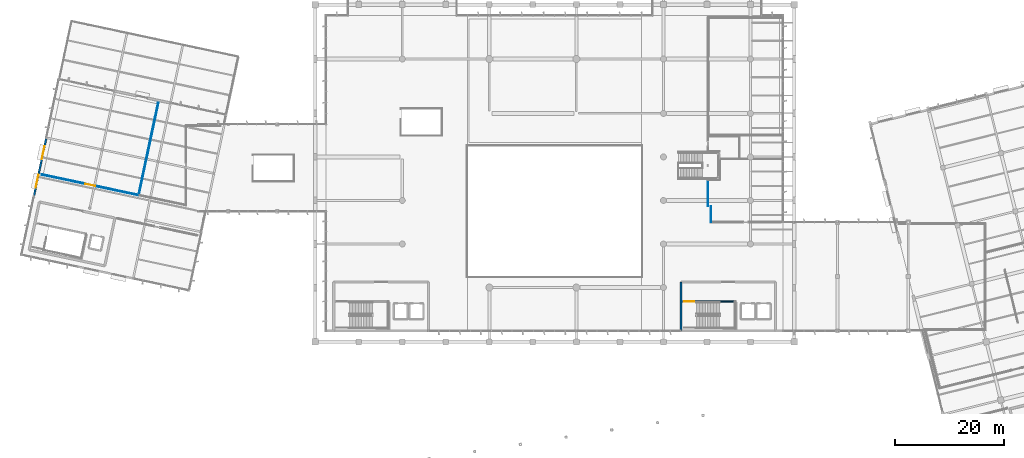
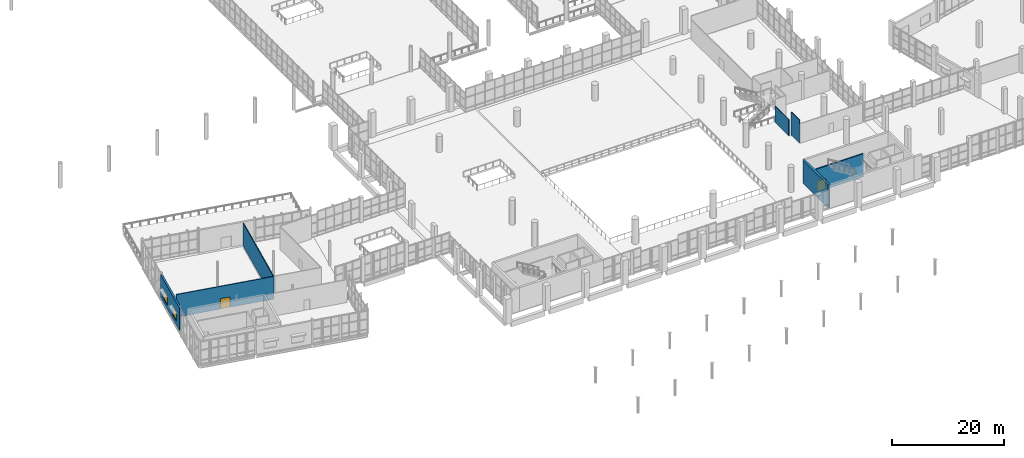
# One storey, part 139 of 176: 7 walls, 2 doors, 2 windows, 4 openings.
"""IFC4 building model written with IfcOpenShell, lengths in metres."""

from ifc_helpers import new_model, si_unit, direction, frame, frame_2d, origin, place, context, subcontext, project, spatial, rectangle, extrude, material, layer, layer_set, type_object, element, fill, save


model = new_model("IFC4")

# Units and contexts
model_context = context("Model", 3, precision=1e-05, world=origin(), true_north=direction((0.0, 1.0)))
body_context = subcontext(model_context, "Body", "Model", "MODEL_VIEW")
ifc_project = project(units=[si_unit("LENGTHUNIT", "METRE"), si_unit("AREAUNIT", "SQUARE_METRE"), si_unit("VOLUMEUNIT", "CUBIC_METRE"), si_unit("PLANEANGLEUNIT", "RADIAN"), si_unit("MASSUNIT", "GRAM", prefix="KILO")], contexts=[model_context])

# Site, building, storey
site_placement = place(None, origin())
site = spatial("IfcSite", under=ifc_project, at=site_placement, CompositionType="ELEMENT")
building_placement = place(site_placement, origin())
building = spatial("IfcBuilding", under=site, at=building_placement, Name="Khorjan Park Terminus", CompositionType="ELEMENT")
storey_placement = place(building_placement, frame((0.0, 0.0, 6.0)))
storey = spatial("IfcBuildingStorey", under=building, at=storey_placement, Name="L01", CompositionType="ELEMENT", Elevation=6.0)

# Wall
ifc_material_1 = material(Name="Concrete C50/60", Category="concrete")
ifc_layer_1 = layer(ifc_material_1, 0.4)
ifc_layer_set_1 = layer_set([ifc_layer_1], Name="Concrete C50/60")
wall_type_1 = type_object("IfcWallType", Name="CW-40", PredefinedType="SHEAR", material=ifc_layer_set_1)
wall_1_placement = place(storey_placement, frame((115.2, 37.0, 0.0), z_axis=(0.0, 0.0, 1.0), x_axis=(0.0, -1.0, 0.0)))
element("IfcWall", 1, at=wall_1_placement, inside=storey, type_object=wall_type_1, Name="East Concourse Core concrete shear wall CW-40 (L01-E4)", PredefinedType="SHEAR", context=body_context, shape_type="SweptSolid", body=[
    extrude(rectangle(XDim=9.0, YDim=0.4, at=frame_2d((4.5, 0.0))), origin(), (0.0, 0.0, 1.0), 5.05),
])

# Wall, openings, windows
ifc_material_2 = material(Name="Pigmented Precast GRC & Concrete C40/50", Category="concrete")
ifc_layer_2 = layer(ifc_material_2, 0.35)
ifc_layer_set_2 = layer_set([ifc_layer_2], Name="Pigmented Precast GRC & Concrete C40/50")
wall_type_2 = type_object("IfcWallType", Name="EW-35", PredefinedType="STANDARD", material=ifc_layer_set_2)
wall_2_placement = place(storey_placement, frame((-1.4499, 63.4065, 0.0), z_axis=(0.0, 0.0, 1.0), x_axis=(-0.207914283178, -0.978147049707, 0.0)))
wall_2 = element("IfcWall", 2, at=wall_2_placement, inside=storey, type_object=wall_type_2, Name="External pigmented-GRC insulated wall EW-35 (EW-V4-W-L01-B02)", PredefinedType="STANDARD", context=body_context, shape_type="SweptSolid", body=[
    extrude(rectangle(XDim=10.7693, YDim=0.35, at=frame_2d((5.3846, 0.0))), origin(), (0.0, 0.0, 1.0), 4.93),
])
opening_1_placement = place(wall_2_placement, frame((1.4923, 0.0, 0.85)))
opening_1 = element("IfcOpeningElement", 3, at=opening_1_placement, cuts=wall_2, Name="Opening WN-24", PredefinedType="OPENING", context=body_context, shape_type="SweptSolid", body=[
    extrude(rectangle(XDim=2.4, YDim=1.8, at=frame_2d((1.2, 0.9))), frame((0.0, 0.185, 0.0), z_axis=(0.0, -1.0, 0.0), x_axis=(1.0, 0.0, 0.0)), (0.0, 0.0, 1.0), 0.37),
])
opening_2_placement = place(wall_2_placement, frame((6.877, 0.0, 0.85)))
opening_2 = element("IfcOpeningElement", 4, at=opening_2_placement, cuts=wall_2, Name="Opening WN-24", PredefinedType="OPENING", context=body_context, shape_type="SweptSolid", body=[
    extrude(rectangle(XDim=2.4, YDim=1.8, at=frame_2d((1.2, 0.9))), frame((0.0, 0.185, 0.0), z_axis=(0.0, -1.0, 0.0), x_axis=(1.0, 0.0, 0.0)), (0.0, 0.0, 1.0), 0.37),
])
ifc_material_3 = material(Name="Anodized Bronze Aluminium & Low-E Glass", Category="aluminium")
window_type = type_object("IfcWindowType", Name="WN-24", PartitioningType="SINGLE_PANEL", PredefinedType="WINDOW", material=ifc_material_3)
window_1_placement = place(opening_1_placement, origin())
window_1 = element("IfcWindow", 5, at=window_1_placement, inside=storey, type_object=window_type, Name="Solar-control exterior window WN-24 (WN-EW-V4-W-L01-B02-1)", OverallHeight=1.8, OverallWidth=2.4, PartitioningType="SINGLE_PANEL", PredefinedType="WINDOW", context=body_context, shape_type="SweptSolid", body=[
    extrude(rectangle(XDim=2.4, YDim=1.8, at=frame_2d((1.2, 0.9))), frame((0.0, 0.03, 0.0), z_axis=(0.0, -1.0, 0.0), x_axis=(1.0, 0.0, 0.0)), (0.0, 0.0, 1.0), 0.06),
])
fill(opening_1, window_1)
window_2_placement = place(opening_2_placement, origin())
window_2 = element("IfcWindow", 6, at=window_2_placement, inside=storey, type_object=window_type, Name="Solar-control exterior window WN-24 (WN-EW-V4-W-L01-B02-2)", OverallHeight=1.8, OverallWidth=2.4, PartitioningType="SINGLE_PANEL", PredefinedType="WINDOW", context=body_context, shape_type="SweptSolid", body=[
    extrude(rectangle(XDim=2.4, YDim=1.8, at=frame_2d((1.2, 0.9))), frame((0.0, 0.03, 0.0), z_axis=(0.0, -1.0, 0.0), x_axis=(1.0, 0.0, 0.0)), (0.0, 0.0, 1.0), 0.06),
])
fill(opening_2, window_2)

# Walls
ifc_material_4 = material(Name="Moisture-Resistant Sanitary Partition")
ifc_layer_3 = layer(ifc_material_4, 0.14)
ifc_layer_set_3 = layer_set([ifc_layer_3], Name="Moisture-Resistant Sanitary Partition")
wall_type_3 = type_object("IfcWallType", Name="PT-14", PredefinedType="PARTITIONING", material=ifc_layer_set_3)
wall_3_placement = place(storey_placement, frame((120.72, 48.0, 0.0), z_axis=(0.0, 0.0, 1.0), x_axis=(0.0, 1.0, 0.0)))
element("IfcWall", 7, at=wall_3_placement, inside=storey, type_object=wall_type_3, Name="Interior acoustic partition PT-14 (L01-WC1)", PredefinedType="PARTITIONING", context=body_context, shape_type="SweptSolid", body=[
    extrude(rectangle(XDim=2.92, YDim=0.14, at=frame_2d((1.46, 0.0))), origin(), (0.0, 0.0, 1.0), 5.02),
])
wall_4_placement = place(storey_placement, frame((120.2, 50.92, 0.0), z_axis=(0.0, 0.0, 1.0), x_axis=(0.0, 1.0, 0.0)))
element("IfcWall", 8, at=wall_4_placement, inside=storey, type_object=wall_type_3, Name="Interior acoustic partition PT-14 (L01-WC1)", PredefinedType="PARTITIONING", context=body_context, shape_type="SweptSolid", body=[
    extrude(rectangle(XDim=4.9, YDim=0.14, at=frame_2d((2.45, 0.0))), origin(), (0.0, 0.0, 1.0), 3.565),
])
ifc_material_5 = material(Name="Insulated Metal-Stud Acoustic Partition")
ifc_layer_4 = layer(ifc_material_5, 0.16)
ifc_layer_set_4 = layer_set([ifc_layer_4], Name="Insulated Metal-Stud Acoustic Partition")
wall_type_4 = type_object("IfcWallType", Name="PT-16", PredefinedType="PARTITIONING", material=ifc_layer_set_4)
wall_5_placement = place(storey_placement, frame((19.1671, 69.9789, 0.0), z_axis=(0.0, 0.0, 1.0), x_axis=(-0.207913331167, -0.978147252065, 0.0)))
element("IfcWall", 9, at=wall_5_placement, inside=storey, type_object=wall_type_4, Name="Interior acoustic partition PT-16 (L01-PAV-DIN)", PredefinedType="PARTITIONING", context=body_context, shape_type="SweptSolid", body=[
    extrude(rectangle(XDim=17.4, YDim=0.16, at=frame_2d((8.7, 0.0))), origin(), (0.0, 0.0, 1.0), 4.93),
])

# Wall, opening, door
wall_6_placement = place(storey_placement, frame((15.5494, 52.9591, 0.0), z_axis=(0.0, 0.0, 1.0), x_axis=(-0.978147552437, 0.207911918034, 0.0)))
wall_6 = element("IfcWall", 10, at=wall_6_placement, inside=storey, type_object=wall_type_4, Name="Interior acoustic partition PT-16 (L01-PAV-DIN)", PredefinedType="PARTITIONING", context=body_context, shape_type="SweptSolid", body=[
    extrude(rectangle(XDim=18.2, YDim=0.16, at=frame_2d((9.1, 0.0))), origin(), (0.0, 0.0, 1.0), 4.93),
])
opening_3_placement = place(wall_6_placement, frame((8.2, 0.0, 0.0)))
opening_3 = element("IfcOpeningElement", 11, at=opening_3_placement, cuts=wall_6, Name="Opening ID-18", PredefinedType="OPENING", context=body_context, shape_type="SweptSolid", body=[
    extrude(rectangle(XDim=1.8, YDim=2.25, at=frame_2d((0.9, 1.125))), frame((0.0, 0.09, 0.0), z_axis=(0.0, -1.0, 0.0), x_axis=(1.0, 0.0, 0.0)), (0.0, 0.0, 1.0), 0.18),
])
ifc_material_6 = material(Name="Acoustic Hardwood & Vision-Lite Double Door", Category="wood")
door_type_1 = type_object("IfcDoorType", Name="ID-18", OperationType="NOTDEFINED", PredefinedType="DOOR", material=ifc_material_6)
door_1_placement = place(opening_3_placement, origin())
door_1 = element("IfcDoor", 12, at=door_1_placement, inside=storey, type_object=door_type_1, Name="Interior door ID-18 (L01-PAV-DIN)", OperationType="DOUBLE_DOOR_SINGLE_SWING", OverallHeight=2.25, OverallWidth=1.8, PredefinedType="DOOR", context=body_context, shape_type="SweptSolid", body=[
    extrude(rectangle(XDim=1.8, YDim=2.25, at=frame_2d((0.9, 1.125))), frame((0.0, 0.025, 0.0), z_axis=(0.0, -1.0, 0.0), x_axis=(1.0, 0.0, 0.0)), (0.0, 0.0, 1.0), 0.05),
])
fill(opening_3, door_1)

ifc_material_7 = material(Name="Concrete C40/50", Category="concrete")
ifc_layer_5 = layer(ifc_material_7, 0.25)
ifc_layer_set_5 = layer_set([ifc_layer_5], Name="Concrete C40/50")
wall_type_5 = type_object("IfcWallType", Name="SW-25", PredefinedType="SOLIDWALL", material=ifc_layer_set_5)
wall_7_placement = place(storey_placement, frame((115.58, 33.435, 0.0), z_axis=(0.0, 0.0, 1.0), x_axis=(1.0, 0.0, 0.0)))
wall_7 = element("IfcWall", 13, at=wall_7_placement, inside=storey, type_object=wall_type_5, Name="East Concourse Core structural stairwell wall SW-25 (L01)", PredefinedType="SOLIDWALL", context=body_context, shape_type="SweptSolid", body=[
    extrude(rectangle(XDim=9.745, YDim=0.25, at=frame_2d((4.8725, 0.0))), origin(), (0.0, 0.0, 1.0), 5.02),
])
opening_4_placement = place(wall_7_placement, frame((0.25, 0.0, 0.0)))
opening_4 = element("IfcOpeningElement", 14, at=opening_4_placement, cuts=wall_7, Name="Opening FD-18", PredefinedType="OPENING", context=body_context, shape_type="SweptSolid", body=[
    extrude(rectangle(XDim=1.8, YDim=2.25, at=frame_2d((0.9, 1.125))), frame((0.0, 0.135, 0.0), z_axis=(0.0, -1.0, 0.0), x_axis=(1.0, 0.0, 0.0)), (0.0, 0.0, 1.0), 0.27),
])
ifc_material_8 = material(Name="Fire-Rated Steel Double Door", Category="steel")
door_type_2 = type_object("IfcDoorType", Name="FD-18", OperationType="NOTDEFINED", PredefinedType="DOOR", material=ifc_material_8)
door_2_placement = place(opening_4_placement, origin())
door_2 = element("IfcDoor", 15, at=door_2_placement, inside=storey, type_object=door_type_2, Name="East Concourse Core stairwell fire door FD-18 (L01)", OperationType="DOUBLE_DOOR_SINGLE_SWING", OverallHeight=2.25, OverallWidth=1.8, PredefinedType="DOOR", context=body_context, shape_type="SweptSolid", body=[
    extrude(rectangle(XDim=1.8, YDim=2.25, at=frame_2d((0.9, 1.125))), frame((0.0, 0.025, 0.0), z_axis=(0.0, -1.0, 0.0), x_axis=(1.0, 0.0, 0.0)), (0.0, 0.0, 1.0), 0.05),
])
fill(opening_4, door_2)

save(model, "model.ifc")
